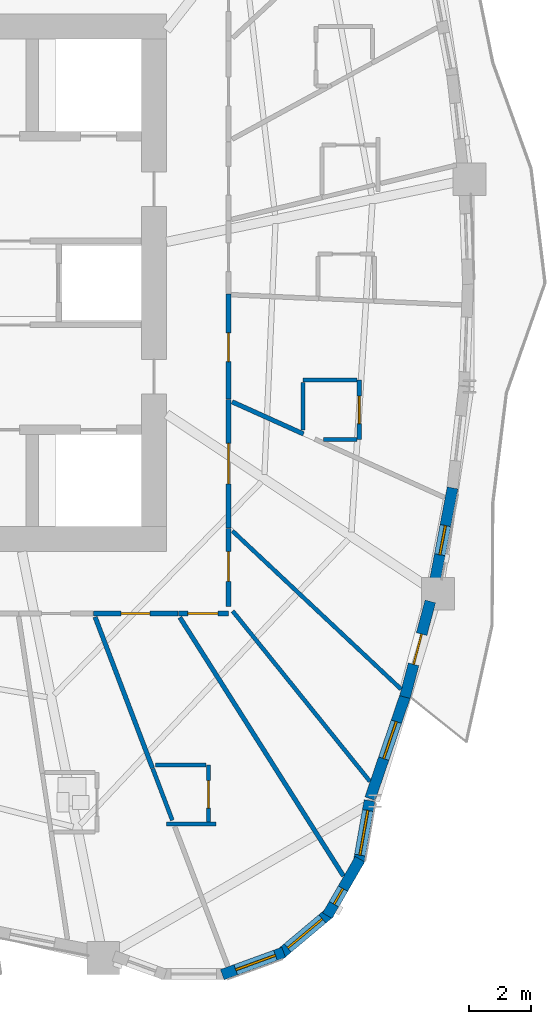
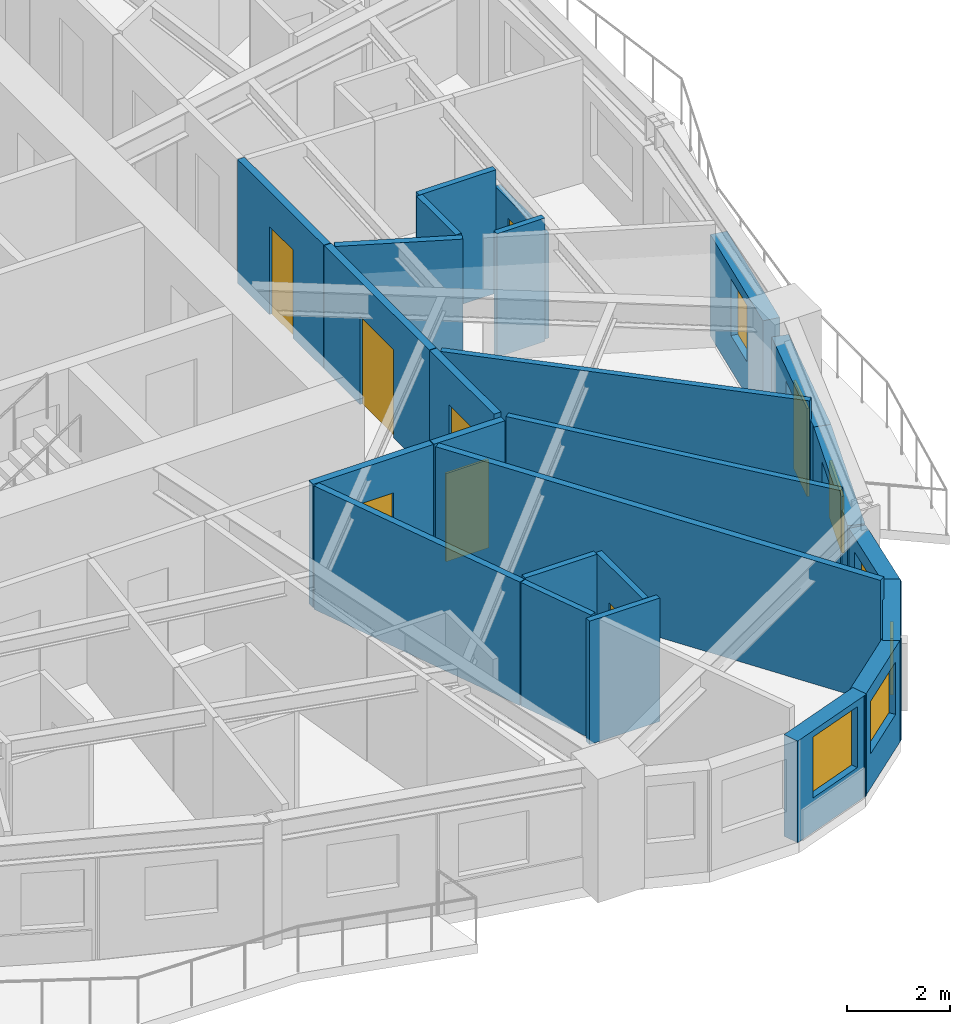
# One storey, part 6 of 14: 25 walls, 8 doors, 6 windows, 14 openings.
"""IFC4 building model written with IfcOpenShell, lengths in metres."""

from ifc_helpers import new_model, si_unit, direction, frame, frame_2d, origin, place, context, subcontext, project, spatial, rectangle, extrude, source, transform, mapped, material, layer, layer_set, type_object, element, fill, save


model = new_model("IFC4")

# Units and contexts
model_context = context("Model", 3, precision=1e-05, world=origin(), true_north=direction((0.0, 1.0)))
body_context = subcontext(model_context, "Body", "Model", "MODEL_VIEW")
ifc_project = project(units=[si_unit("LENGTHUNIT", "METRE"), si_unit("AREAUNIT", "SQUARE_METRE"), si_unit("VOLUMEUNIT", "CUBIC_METRE"), si_unit("PLANEANGLEUNIT", "RADIAN"), si_unit("MASSUNIT", "GRAM", prefix="KILO")], contexts=[model_context])

# Site, building, storey
site_placement = place(None, origin())
site = spatial("IfcSite", under=ifc_project, at=site_placement, CompositionType="ELEMENT")
building_placement = place(site_placement, origin())
building = spatial("IfcBuilding", under=site, at=building_placement, Name="Qafzar Sky-Pleat Residences", CompositionType="ELEMENT")
storey_placement = place(building_placement, frame((0.0, 0.0, 20.60009765625)))
storey = spatial("IfcBuildingStorey", under=building, at=storey_placement, Name="L05", CompositionType="ELEMENT", Elevation=20.60009765625)

# Wall, opening, door
ifc_material_1 = material(Name="Acoustic gypsum plasterboard partition", Category="gypsum")
ifc_layer_1 = layer(ifc_material_1, 0.159912109375)
ifc_layer_set_1 = layer_set([ifc_layer_1], Name="Acoustic gypsum plasterboard partition")
wall_type_1 = type_object("IfcWallType", Name="PART-COR-160", PredefinedType="PARTITIONING", material=ifc_layer_set_1)
wall_1_placement = place(storey_placement, frame((38.679931640625, 22.263916015625, 0.0), z_axis=(0.0, 0.0, 1.0), x_axis=(0.0, -1.0, 0.0)))
wall_1 = element("IfcWall", 1, at=wall_1_placement, inside=storey, type_object=wall_type_1, Name="L05 Partition Wall PART-L05-PW-004", PredefinedType="PARTITIONING", context=body_context, shape_type="SweptSolid", body=[
    extrude(rectangle(XDim=4.101806640625, YDim=0.159912109375, at=frame_2d((2.05078125, 0.0))), origin(), (0.0, 0.0, 1.0), 2.93994140625),
])
opening_1_placement = place(wall_1_placement, frame((1.3984375, 0.0, 0.0)))
opening_1 = element("IfcOpeningElement", 2, at=opening_1_placement, cuts=wall_1, Name="Opening ID-05", PredefinedType="OPENING", context=body_context, shape_type="SweptSolid", body=[
    extrude(rectangle(XDim=1.300048828125, YDim=2.10009765625, at=frame_2d((0.64990234375, 1.050048828125))), frame((0.0, 0.08984375, 0.0), z_axis=(0.0, -1.0, 0.0), x_axis=(1.0, 0.0, 0.0)), (0.0, 0.0, 1.0), 0.179931640625),
])
ifc_material_2 = material(Name="Timber-faced fire door", Category="wood")
door_type_1 = type_object("IfcDoorType", Name="DR-LNG-1300", OperationType="DOUBLE_DOOR_SINGLE_SWING", PredefinedType="DOOR", material=ifc_material_2)
shared_shape_1 = source(origin(), body_context, "Body", "SweptSolid", [
    extrude(rectangle(XDim=1.300048828125, YDim=2.10009765625, at=frame_2d((0.64990234375, 1.050048828125))), frame((0.0, 0.02490234375, 0.0), z_axis=(0.0, -1.0, 0.0), x_axis=(1.0, 0.0, 0.0)), (0.0, 0.0, 1.0), 0.050048828125),
])
door_1_placement = place(opening_1_placement, origin())
door_1 = element("IfcDoor", 3, at=door_1_placement, inside=storey, type_object=door_type_1, Name="L05 Communal Kitchen Door", OperationType="DOUBLE_DOOR_SINGLE_SWING", OverallHeight=2.10009765625, OverallWidth=1.300048828125, PredefinedType="DOOR", context=body_context, shape_type="MappedRepresentation", body=[
    mapped(shared_shape_1, transform((0.0, 0.0, 0.0), x_axis=(1.0, 0.0, 0.0), y_axis=(0.0, 1.0, 0.0), z_axis=(0.0, 0.0, 1.0), scale=1.0)),
])
fill(opening_1, door_1)

wall_2_placement = place(storey_placement, frame((38.679931640625, 25.64208984375, 0.0), z_axis=(0.0, 0.0, 1.0), x_axis=(0.0, -1.0, 0.0)))
wall_2 = element("IfcWall", 4, at=wall_2_placement, inside=storey, type_object=wall_type_1, Name="L05 Partition Wall PART-L05-PW-006", PredefinedType="PARTITIONING", context=body_context, shape_type="SweptSolid", body=[
    extrude(rectangle(XDim=3.363037109375, YDim=0.159912109375, at=frame_2d((1.681640625, 0.0))), origin(), (0.0, 0.0, 1.0), 2.93994140625),
])
opening_2_placement = place(wall_2_placement, frame((1.244384765625, 0.0, 0.0)))
opening_2 = element("IfcOpeningElement", 5, at=opening_2_placement, cuts=wall_2, Name="Opening ID-04", PredefinedType="OPENING", context=body_context, shape_type="SweptSolid", body=[
    extrude(rectangle(XDim=0.919921875, YDim=2.10009765625, at=frame_2d((0.4599609375, 1.050048828125))), frame((0.0, 0.08984375, 0.0), z_axis=(0.0, -1.0, 0.0), x_axis=(1.0, 0.0, 0.0)), (0.0, 0.0, 1.0), 0.179931640625),
])
door_type_2 = type_object("IfcDoorType", Name="DR-BED-920", OperationType="NOTDEFINED", PredefinedType="DOOR", material=ifc_material_2)
shared_shape_2 = source(origin(), body_context, "Body", "SweptSolid", [
    extrude(rectangle(XDim=0.919921875, YDim=2.10009765625, at=frame_2d((0.4599609375, 1.050048828125))), frame((0.0, 0.02490234375, 0.0), z_axis=(0.0, -1.0, 0.0), x_axis=(1.0, 0.0, 0.0)), (0.0, 0.0, 1.0), 0.050048828125),
])
door_2_placement = place(opening_2_placement, origin())
door_2 = element("IfcDoor", 6, at=door_2_placement, inside=storey, type_object=door_type_2, Name="L05 Co-Living Bedroom 10 Door", OperationType="SINGLE_SWING_LEFT", OverallHeight=2.10009765625, OverallWidth=0.919921875, PredefinedType="DOOR", context=body_context, shape_type="MappedRepresentation", body=[
    mapped(shared_shape_2, transform((0.0, 0.0, 0.0), x_axis=(1.0, 0.0, 0.0), y_axis=(0.0, 1.0, 0.0), z_axis=(0.0, 0.0, 1.0), scale=1.0)),
])
fill(opening_2, door_2)

wall_3_placement = place(storey_placement, frame((37.06298828125, 15.419921875, 0.0), z_axis=(0.0, 0.0, 1.0), x_axis=(-1.0, 0.0, 0.0)))
wall_3 = element("IfcWall", 7, at=wall_3_placement, inside=storey, type_object=wall_type_1, Name="L05 Partition Wall PART-L05-PW-010", PredefinedType="PARTITIONING", context=body_context, shape_type="SweptSolid", body=[
    extrude(rectangle(XDim=2.708984375, YDim=0.159912109375, at=frame_2d((1.3544921875, 0.0))), origin(), (0.0, 0.0, 1.0), 2.93994140625),
])
opening_3_placement = place(wall_3_placement, frame((0.8955078125, 0.0, 0.0)))
opening_3 = element("IfcOpeningElement", 8, at=opening_3_placement, cuts=wall_3, Name="Opening ID-04", PredefinedType="OPENING", context=body_context, shape_type="SweptSolid", body=[
    extrude(rectangle(XDim=0.919921875, YDim=2.10009765625, at=frame_2d((0.4599609375, 1.050048828125))), frame((0.0, 0.08984375, 0.0), z_axis=(0.0, -1.0, 0.0), x_axis=(1.0, 0.0, 0.0)), (0.0, 0.0, 1.0), 0.179931640625),
])
door_3_placement = place(opening_3_placement, origin())
door_3 = element("IfcDoor", 9, at=door_3_placement, inside=storey, type_object=door_type_2, Name="L05 Co-Living Bedroom 9 Door", OperationType="SINGLE_SWING_LEFT", OverallHeight=2.10009765625, OverallWidth=0.919921875, PredefinedType="DOOR", context=body_context, shape_type="MappedRepresentation", body=[
    mapped(shared_shape_2, transform((0.0, 0.0, 0.0), x_axis=(1.0, 0.0, 0.0), y_axis=(0.0, 1.0, 0.0), z_axis=(0.0, 0.0, 1.0), scale=1.0)),
])
fill(opening_3, door_3)

wall_4_placement = place(storey_placement, frame((38.679931640625, 18.14697265625, 0.0), z_axis=(0.0, 0.0, 1.0), x_axis=(0.0, -1.0, 0.0)))
wall_4 = element("IfcWall", 10, at=wall_4_placement, inside=storey, type_object=wall_type_1, Name="L05 Partition Wall PART-L05-PW-013", PredefinedType="PARTITIONING", context=body_context, shape_type="SweptSolid", body=[
    extrude(rectangle(XDim=2.5048828125, YDim=0.159912109375, at=frame_2d((1.25244140625, 0.0))), origin(), (0.0, 0.0, 1.0), 2.93994140625),
])
opening_4_placement = place(wall_4_placement, frame((0.74755859375, 0.0, 0.0)))
opening_4 = element("IfcOpeningElement", 11, at=opening_4_placement, cuts=wall_4, Name="Opening ID-08", PredefinedType="OPENING", context=body_context, shape_type="SweptSolid", body=[
    extrude(rectangle(XDim=0.949951171875, YDim=2.10009765625, at=frame_2d((0.47509765625, 1.050048828125))), frame((0.0, 0.08984375, 0.0), z_axis=(0.0, -1.0, 0.0), x_axis=(1.0, 0.0, 0.0)), (0.0, 0.0, 1.0), 0.179931640625),
])
door_type_3 = type_object("IfcDoorType", Name="DR-AWC-950", OperationType="NOTDEFINED", PredefinedType="DOOR", material=ifc_material_2)
shared_shape_3 = source(origin(), body_context, "Body", "SweptSolid", [
    extrude(rectangle(XDim=0.949951171875, YDim=2.10009765625, at=frame_2d((0.47509765625, 1.050048828125))), frame((0.0, 0.02490234375, 0.0), z_axis=(0.0, -1.0, 0.0), x_axis=(1.0, 0.0, 0.0)), (0.0, 0.0, 1.0), 0.050048828125),
])
door_4_placement = place(opening_4_placement, origin())
door_4 = element("IfcDoor", 12, at=door_4_placement, inside=storey, type_object=door_type_3, Name="L05 Accessible Shared Washroom Door", OperationType="SINGLE_SWING_RIGHT", OverallHeight=2.10009765625, OverallWidth=0.949951171875, PredefinedType="DOOR", context=body_context, shape_type="MappedRepresentation", body=[
    mapped(shared_shape_3, transform((0.0, 0.0, 0.0), x_axis=(1.0, 0.0, 0.0), y_axis=(0.0, 1.0, 0.0), z_axis=(0.0, 0.0, 1.0), scale=1.0)),
])
fill(opening_4, door_4)

wall_5_placement = place(storey_placement, frame((38.679931640625, 15.419921875, 0.0), z_axis=(0.0, 0.0, 1.0), x_axis=(-1.0, 0.0, 0.0)))
wall_5 = element("IfcWall", 13, at=wall_5_placement, inside=storey, type_object=wall_type_1, Name="L05 Partition Wall PART-L05-PW-031", PredefinedType="PARTITIONING", context=body_context, shape_type="SweptSolid", body=[
    extrude(rectangle(XDim=1.60205078125, YDim=0.159912109375, at=frame_2d((0.801025390625, 0.0))), origin(), (0.0, 0.0, 1.0), 2.93994140625),
])
opening_5_placement = place(wall_5_placement, frame((0.33740234375, 0.0, 0.0)))
opening_5 = element("IfcOpeningElement", 14, at=opening_5_placement, cuts=wall_5, Name="Opening ID-06", PredefinedType="OPENING", context=body_context, shape_type="SweptSolid", body=[
    extrude(rectangle(XDim=0.9599609375, YDim=2.10009765625, at=frame_2d((0.47998046875, 1.050048828125))), frame((0.0, 0.08984375, 0.0), z_axis=(0.0, -1.0, 0.0), x_axis=(1.0, 0.0, 0.0)), (0.0, 0.0, 1.0), 0.179931640625),
])
door_type_4 = type_object("IfcDoorType", Name="DR-STD-960", OperationType="NOTDEFINED", PredefinedType="DOOR", material=ifc_material_2)
shared_shape_4 = source(origin(), body_context, "Body", "SweptSolid", [
    extrude(rectangle(XDim=0.9599609375, YDim=2.10009765625, at=frame_2d((0.47998046875, 1.050048828125))), frame((0.0, 0.02490234375, 0.0), z_axis=(0.0, -1.0, 0.0), x_axis=(1.0, 0.0, 0.0)), (0.0, 0.0, 1.0), 0.050048828125),
])
door_5_placement = place(opening_5_placement, origin())
door_5 = element("IfcDoor", 15, at=door_5_placement, inside=storey, type_object=door_type_4, Name="L05 Scholar Study Room Door", OperationType="SINGLE_SWING_RIGHT", OverallHeight=2.10009765625, OverallWidth=0.9599609375, PredefinedType="DOOR", context=body_context, shape_type="MappedRepresentation", body=[
    mapped(shared_shape_4, transform((0.0, 0.0, 0.0), x_axis=(1.0, 0.0, 0.0), y_axis=(0.0, 1.0, 0.0), z_axis=(0.0, 0.0, 1.0), scale=1.0)),
])
fill(opening_5, door_5)

# Walls
ifc_layer_2 = layer(ifc_material_1, 0.14501953125)
ifc_layer_set_2 = layer_set([ifc_layer_2], Name="Acoustic gypsum plasterboard partition")
wall_type_2 = type_object("IfcWallType", Name="PART-UNIT-145", PredefinedType="PARTITIONING", material=ifc_layer_set_2)
wall_6_placement = place(storey_placement, frame((37.12451171875, 15.29443359375, 0.0), z_axis=(0.0, 0.0, 1.0), x_axis=(0.534743765269, -0.845014263492, 0.0)))
element("IfcWall", 16, at=wall_6_placement, inside=storey, type_object=wall_type_2, Name="L05 Partition Wall PART-L05-PW-040", PredefinedType="PARTITIONING", context=body_context, shape_type="SweptSolid", body=[
    extrude(rectangle(XDim=9.79736328125, YDim=0.14501953125, at=frame_2d((4.898681640625, 0.0))), origin(), (0.0, 0.0, 1.0), 2.93994140625),
])
wall_7_placement = place(storey_placement, frame((34.4130859375, 15.306884765625, 0.0), z_axis=(0.0, 0.0, 1.0), x_axis=(0.355171610573, -0.934801116304, 0.0)))
element("IfcWall", 17, at=wall_7_placement, inside=storey, type_object=wall_type_2, Name="L05 Partition Wall PART-L05-PW-048", PredefinedType="PARTITIONING", context=body_context, shape_type="SweptSolid", body=[
    extrude(rectangle(XDim=5.177490234375, YDim=0.14501953125, at=frame_2d((2.5888671875, 0.0))), origin(), (0.0, 0.0, 1.0), 2.93994140625),
])
wall_8_placement = place(storey_placement, frame((38.797119140625, 22.1953125, 0.0), z_axis=(0.0, 0.0, 1.0), x_axis=(0.911759201305, -0.410725162165, 0.0)))
element("IfcWall", 18, at=wall_8_placement, inside=storey, type_object=wall_type_2, Name="L05 Partition Wall PART-L05-PW-063", PredefinedType="PARTITIONING", context=body_context, shape_type="SweptSolid", body=[
    extrude(rectangle(XDim=2.506103515625, YDim=0.14501953125, at=frame_2d((1.2529296875, 0.0))), origin(), (0.0, 0.0, 1.0), 2.93994140625),
])

# Wall, opening, door
ifc_material_3 = material(Name="Moisture-resistant gypsum partition", Category="gypsum")
ifc_layer_3 = layer(ifc_material_3, 0.1298828125)
ifc_layer_set_3 = layer_set([ifc_layer_3], Name="Moisture-resistant gypsum partition")
wall_type_3 = type_object("IfcWallType", Name="PART-WET-130", PredefinedType="PARTITIONING", material=ifc_layer_set_3)
wall_9_placement = place(storey_placement, frame((38.037109375, 8.75, 0.0), z_axis=(0.0, 0.0, 1.0), x_axis=(0.0, 1.0, 0.0)))
wall_9 = element("IfcWall", 19, at=wall_9_placement, inside=storey, type_object=wall_type_3, Name="L05 Partition Wall PART-L05-PW-020", PredefinedType="PARTITIONING", context=body_context, shape_type="SweptSolid", body=[
    extrude(rectangle(XDim=1.826904296875, YDim=0.1298828125, at=frame_2d((0.91357421875, 0.0))), origin(), (0.0, 0.0, 1.0), 2.93994140625),
])
opening_6_placement = place(wall_9_placement, frame((0.43701171875, 0.0, 0.0)))
opening_6 = element("IfcOpeningElement", 20, at=opening_6_placement, cuts=wall_9, Name="Opening ID-07", PredefinedType="OPENING", context=body_context, shape_type="SweptSolid", body=[
    extrude(rectangle(XDim=0.8798828125, YDim=2.050048828125, at=frame_2d((0.43994140625, 1.02490234375))), frame((0.0, 0.074951171875, 0.0), z_axis=(0.0, -1.0, 0.0), x_axis=(1.0, 0.0, 0.0)), (0.0, 0.0, 1.0), 0.14990234375),
])
door_type_5 = type_object("IfcDoorType", Name="DR-WET-880", OperationType="NOTDEFINED", PredefinedType="DOOR", material=ifc_material_2)
shared_shape_5 = source(origin(), body_context, "Body", "SweptSolid", [
    extrude(rectangle(XDim=0.8798828125, YDim=2.050048828125, at=frame_2d((0.43994140625, 1.02490234375))), frame((0.0, 0.02490234375, 0.0), z_axis=(0.0, -1.0, 0.0), x_axis=(1.0, 0.0, 0.0)), (0.0, 0.0, 1.0), 0.050048828125),
])
door_6_placement = place(opening_6_placement, origin())
door_6 = element("IfcDoor", 21, at=door_6_placement, inside=storey, type_object=door_type_5, Name="L05 En-suite Bathroom 9 Door", OperationType="SINGLE_SWING_LEFT", OverallHeight=2.050048828125, OverallWidth=0.8798828125, PredefinedType="DOOR", context=body_context, shape_type="MappedRepresentation", body=[
    mapped(shared_shape_5, transform((0.0, 0.0, 0.0), x_axis=(1.0, 0.0, 0.0), y_axis=(0.0, 1.0, 0.0), z_axis=(0.0, 0.0, 1.0), scale=1.0)),
])
fill(opening_6, door_6)

wall_10_placement = place(storey_placement, frame((42.866943359375, 20.986083984375, 0.0), z_axis=(0.0, 0.0, 1.0), x_axis=(0.0, 1.0, 0.0)))
wall_10 = element("IfcWall", 22, at=wall_10_placement, inside=storey, type_object=wall_type_3, Name="L05 Partition Wall PART-L05-PW-023", PredefinedType="PARTITIONING", context=body_context, shape_type="SweptSolid", body=[
    extrude(rectangle(XDim=1.89990234375, YDim=0.1298828125, at=frame_2d((0.949951171875, 0.0))), origin(), (0.0, 0.0, 1.0), 2.5078125),
])
opening_7_placement = place(wall_10_placement, frame((0.510009765625, 0.0, 0.0)))
opening_7 = element("IfcOpeningElement", 23, at=opening_7_placement, cuts=wall_10, Name="Opening ID-07", PredefinedType="OPENING", context=body_context, shape_type="SweptSolid", body=[
    extrude(rectangle(XDim=0.8798828125, YDim=2.050048828125, at=frame_2d((0.43994140625, 1.02490234375))), frame((0.0, 0.074951171875, 0.0), z_axis=(0.0, -1.0, 0.0), x_axis=(1.0, 0.0, 0.0)), (0.0, 0.0, 1.0), 0.14990234375),
])
door_7_placement = place(opening_7_placement, origin())
door_7 = element("IfcDoor", 24, at=door_7_placement, inside=storey, type_object=door_type_5, Name="L05 En-suite Bathroom 10 Door", OperationType="SINGLE_SWING_RIGHT", OverallHeight=2.050048828125, OverallWidth=0.8798828125, PredefinedType="DOOR", context=body_context, shape_type="MappedRepresentation", body=[
    mapped(shared_shape_5, transform((0.0, 0.0, 0.0), x_axis=(1.0, 0.0, 0.0), y_axis=(0.0, 1.0, 0.0), z_axis=(0.0, 0.0, 1.0), scale=1.0)),
])
fill(opening_7, door_7)

# Walls
wall_11_placement = place(storey_placement, frame((38.810302734375, 18.060791015625, 0.0), z_axis=(0.0, 0.0, 1.0), x_axis=(0.729196389153, -0.684304483433, 0.0)))
element("IfcWall", 25, at=wall_11_placement, inside=storey, type_object=wall_type_3, Name="L05 Partition Wall PART-L05-PW-045", PredefinedType="PARTITIONING", context=body_context, shape_type="SweptSolid", body=[
    extrude(rectangle(XDim=7.396240234375, YDim=0.1298828125, at=frame_2d((3.6982421875, 0.0))), origin(), (0.0, 0.0, 1.0), 2.93994140625),
])
wall_12_placement = place(storey_placement, frame((38.815673828125, 15.497802734375, 0.0), z_axis=(0.0, 0.0, 1.0), x_axis=(0.627528755525, -0.778593386171, 0.0)))
element("IfcWall", 26, at=wall_12_placement, inside=storey, type_object=wall_type_3, Name="L05 Partition Wall PART-L05-PW-046", PredefinedType="PARTITIONING", context=body_context, shape_type="SweptSolid", body=[
    extrude(rectangle(XDim=6.997802734375, YDim=0.1298828125, at=frame_2d((3.4990234375, 0.0))), origin(), (0.0, 0.0, 1.0), 2.93994140625),
])
wall_13_placement = place(storey_placement, frame((36.25732421875, 10.452880859375, 0.0), z_axis=(0.0, 0.0, 1.0), x_axis=(0.355345777079, -0.934734924303, 0.0)))
element("IfcWall", 27, at=wall_13_placement, inside=storey, type_object=wall_type_3, Name="L05 Partition Wall PART-L05-PW-068", PredefinedType="PARTITIONING", context=body_context, shape_type="SweptSolid", body=[
    extrude(rectangle(XDim=1.766357421875, YDim=0.1298828125, at=frame_2d((0.88330078125, 0.0))), origin(), (0.0, 0.0, 1.0), 2.93994140625),
])
wall_14_placement = place(storey_placement, frame((36.347412109375, 10.576904296875, 0.0), z_axis=(0.0, 0.0, 1.0), x_axis=(1.0, 0.0, 0.0)))
element("IfcWall", 28, at=wall_14_placement, inside=storey, type_object=wall_type_3, Name="L05 Partition Wall PART-L05-PW-076", PredefinedType="PARTITIONING", context=body_context, shape_type="SweptSolid", body=[
    extrude(rectangle(XDim=1.61669921875, YDim=0.1298828125, at=frame_2d((0.808349609375, 0.0))), origin(), (0.0, 0.0, 1.0), 2.93994140625),
])
wall_15_placement = place(storey_placement, frame((41.06689453125, 22.885986328125, 0.0), z_axis=(0.0, 0.0, 1.0), x_axis=(1.0, 0.0, 0.0)))
element("IfcWall", 29, at=wall_15_placement, inside=storey, type_object=wall_type_3, Name="L05 Partition Wall PART-L05-PW-077", PredefinedType="PARTITIONING", context=body_context, shape_type="SweptSolid", body=[
    extrude(rectangle(XDim=1.72705078125, YDim=0.1298828125, at=frame_2d((0.863525390625, 0.0))), origin(), (0.0, 0.0, 1.0), 2.93994140625),
])
wall_16_placement = place(storey_placement, frame((41.06689453125, 21.288818359375, 0.0), z_axis=(0.0, 0.0, 1.0), x_axis=(0.0, 1.0, 0.0)))
element("IfcWall", 30, at=wall_16_placement, inside=storey, type_object=wall_type_3, Name="L05 Partition Wall PART-L05-PW-082", PredefinedType="PARTITIONING", context=body_context, shape_type="SweptSolid", body=[
    extrude(rectangle(XDim=1.524169921875, YDim=0.1298828125, at=frame_2d((0.76220703125, 0.0))), origin(), (0.0, 0.0, 1.0), 2.93994140625),
])
wall_17_placement = place(storey_placement, frame((41.720947265625, 20.986083984375, 0.0), z_axis=(0.0, 0.0, 1.0), x_axis=(1.0, 0.0, 0.0)))
element("IfcWall", 31, at=wall_17_placement, inside=storey, type_object=wall_type_3, Name="L05 Partition Wall PART-L05-PW-091", PredefinedType="PARTITIONING", context=body_context, shape_type="SweptSolid", body=[
    extrude(rectangle(XDim=1.072998046875, YDim=0.1298828125, at=frame_2d((0.53662109375, 0.0))), origin(), (0.0, 0.0, 1.0), 2.93994140625),
])
wall_18_placement = place(storey_placement, frame((36.69189453125, 8.677001953125, 0.0), z_axis=(0.0, 0.0, 1.0), x_axis=(1.0, 0.0, 0.0)))
element("IfcWall", 32, at=wall_18_placement, inside=storey, type_object=wall_type_3, Name="L05 Partition Wall PART-L05-PW-096", PredefinedType="PARTITIONING", context=body_context, shape_type="SweptSolid", body=[
    extrude(rectangle(XDim=1.585205078125, YDim=0.1298828125, at=frame_2d((0.79248046875, 0.0))), origin(), (0.0, 0.0, 1.0), 2.93994140625),
])

# Wall, opening, window
ifc_material_4 = material(Name="Precast concrete C40/50 with honed Riyadh limestone", Category="concrete")
ifc_layer_4 = layer(ifc_material_4, 0.35009765625)
ifc_layer_set_4 = layer_set([ifc_layer_4], Name="Precast concrete C40/50 with honed Riyadh limestone")
wall_type_4 = type_object("IfcWallType", Name="WALL-EXT-350", PredefinedType="SOLIDWALL", material=ifc_layer_set_4)
wall_19_placement = place(storey_placement, frame((38.484130859375, 3.859619140625, 0.0), z_axis=(0.0, 0.0, 1.0), x_axis=(0.939711556618, 0.341968113072, 0.0)))
wall_19 = element("IfcWall", 33, at=wall_19_placement, inside=storey, type_object=wall_type_4, Name="L05 Limestone Facade Wall 19", PredefinedType="SOLIDWALL", context=body_context, shape_type="SweptSolid", body=[
    extrude(rectangle(XDim=2.09033203125, YDim=0.35009765625, at=frame_2d((1.045166015625, 0.0))), origin(), (0.0, 0.0, 1.0), 2.419921875),
])
opening_8_placement = place(wall_19_placement, frame((0.459228515625, 0.0, 0.820068359375)))
opening_8 = element("IfcOpeningElement", 34, at=opening_8_placement, cuts=wall_19, Name="Opening WN-04", PredefinedType="OPENING", context=body_context, shape_type="SweptSolid", body=[
    extrude(rectangle(XDim=1.35009765625, YDim=1.449951171875, at=frame_2d((0.675048828125, 0.72509765625))), frame((0.0, 0.18505859375, 0.0), z_axis=(0.0, -1.0, 0.0), x_axis=(1.0, 0.0, 0.0)), (0.0, 0.0, 1.0), 0.3701171875),
])
ifc_material_5 = material(Name="Solar-control low-E glass in bronze aluminium frame", Category="glass")
window_type_1 = type_object("IfcWindowType", Name="WIN-04", PartitioningType="SINGLE_PANEL", PredefinedType="WINDOW", material=ifc_material_5)
shared_shape_6 = source(origin(), body_context, "Body", "SweptSolid", [
    extrude(rectangle(XDim=1.35009765625, YDim=1.449951171875, at=frame_2d((0.675048828125, 0.72509765625))), frame((0.0, 0.030029296875, 0.0), z_axis=(0.0, -1.0, 0.0), x_axis=(1.0, 0.0, 0.0)), (0.0, 0.0, 1.0), 0.06005859375),
])
window_1_placement = place(opening_8_placement, origin())
window_1 = element("IfcWindow", 35, at=window_1_placement, inside=storey, type_object=window_type_1, Name="L05 Punched Facade Window 19", OverallHeight=1.449951171875, OverallWidth=1.35009765625, PartitioningType="SINGLE_PANEL", PredefinedType="WINDOW", context=body_context, shape_type="MappedRepresentation", body=[
    mapped(shared_shape_6, transform((0.0, 0.0, 0.0), x_axis=(1.0, 0.0, 0.0), y_axis=(0.0, 1.0, 0.0), z_axis=(0.0, 0.0, 1.0), scale=1.0)),
])
fill(opening_8, window_1)

wall_20_placement = place(storey_placement, frame((40.330810546875, 4.506591796875, 0.0), z_axis=(0.0, 0.0, 1.0), x_axis=(0.766024572719, 0.642811289563, 0.0)))
wall_20 = element("IfcWall", 36, at=wall_20_placement, inside=storey, type_object=wall_type_4, Name="L05 Limestone Facade Wall 20", PredefinedType="SOLIDWALL", context=body_context, shape_type="SweptSolid", body=[
    extrude(rectangle(XDim=2.09033203125, YDim=0.35009765625, at=frame_2d((1.045166015625, 0.0))), origin(), (0.0, 0.0, 1.0), 2.419921875),
])
opening_9_placement = place(wall_20_placement, frame((0.3203125, 0.0, 0.820068359375)))
opening_9 = element("IfcOpeningElement", 37, at=opening_9_placement, cuts=wall_20, Name="Opening WN-15", PredefinedType="OPENING", context=body_context, shape_type="SweptSolid", body=[
    extrude(rectangle(XDim=1.449951171875, YDim=1.25, at=frame_2d((0.72509765625, 0.625))), frame((0.0, 0.18505859375, 0.0), z_axis=(0.0, -1.0, 0.0), x_axis=(1.0, 0.0, 0.0)), (0.0, 0.0, 1.0), 0.3701171875),
])
window_type_2 = type_object("IfcWindowType", Name="WIN-15", PartitioningType="SINGLE_PANEL", PredefinedType="WINDOW", material=ifc_material_5)
shared_shape_7 = source(origin(), body_context, "Body", "SweptSolid", [
    extrude(rectangle(XDim=1.449951171875, YDim=1.25, at=frame_2d((0.72509765625, 0.625))), frame((0.0, 0.030029296875, 0.0), z_axis=(0.0, -1.0, 0.0), x_axis=(1.0, 0.0, 0.0)), (0.0, 0.0, 1.0), 0.06005859375),
])
window_2_placement = place(opening_9_placement, origin())
window_2 = element("IfcWindow", 38, at=window_2_placement, inside=storey, type_object=window_type_2, Name="L05 Punched Facade Window 20", OverallHeight=1.25, OverallWidth=1.449951171875, PartitioningType="SINGLE_PANEL", PredefinedType="WINDOW", context=body_context, shape_type="MappedRepresentation", body=[
    mapped(shared_shape_7, transform((0.0, 0.0, 0.0), x_axis=(1.0, 0.0, 0.0), y_axis=(0.0, 1.0, 0.0), z_axis=(0.0, 0.0, 1.0), scale=1.0)),
])
fill(opening_9, window_2)

wall_21_placement = place(storey_placement, frame((41.844970703125, 5.746337890625, 0.0), z_axis=(0.0, 0.0, 1.0), x_axis=(0.499995423472, 0.866028046028, 0.0)))
wall_21 = element("IfcWall", 39, at=wall_21_placement, inside=storey, type_object=wall_type_4, Name="L05 Limestone Facade Wall 21", PredefinedType="SOLIDWALL", context=body_context, shape_type="SweptSolid", body=[
    extrude(rectangle(XDim=2.09033203125, YDim=0.35009765625, at=frame_2d((1.045166015625, 0.0))), origin(), (0.0, 0.0, 1.0), 2.419921875),
])
opening_10_placement = place(wall_21_placement, frame((0.423828125, 0.0, 0.820068359375)))
opening_10 = element("IfcOpeningElement", 40, at=opening_10_placement, cuts=wall_21, Name="Opening WN-17", PredefinedType="OPENING", context=body_context, shape_type="SweptSolid", body=[
    extrude(rectangle(XDim=0.580078125, YDim=1.35009765625, at=frame_2d((0.2900390625, 0.675048828125))), frame((0.0, 0.18505859375, 0.0), z_axis=(0.0, -1.0, 0.0), x_axis=(1.0, 0.0, 0.0)), (0.0, 0.0, 1.0), 0.3701171875),
])
window_type_3 = type_object("IfcWindowType", Name="WIN-17", PartitioningType="SINGLE_PANEL", PredefinedType="WINDOW", material=ifc_material_5)
shared_shape_8 = source(origin(), body_context, "Body", "SweptSolid", [
    extrude(rectangle(XDim=0.580078125, YDim=1.35009765625, at=frame_2d((0.2900390625, 0.675048828125))), frame((0.0, 0.030029296875, 0.0), z_axis=(0.0, -1.0, 0.0), x_axis=(1.0, 0.0, 0.0)), (0.0, 0.0, 1.0), 0.06005859375),
])
window_3_placement = place(opening_10_placement, origin())
window_3 = element("IfcWindow", 41, at=window_3_placement, inside=storey, type_object=window_type_3, Name="L05 Punched Facade Window 21", OverallHeight=1.35009765625, OverallWidth=0.580078125, PartitioningType="SINGLE_PANEL", PredefinedType="WINDOW", context=body_context, shape_type="MappedRepresentation", body=[
    mapped(shared_shape_8, transform((0.0, 0.0, 0.0), x_axis=(1.0, 0.0, 0.0), y_axis=(0.0, 1.0, 0.0), z_axis=(0.0, 0.0, 1.0), scale=1.0)),
])
fill(opening_10, window_3)

wall_22_placement = place(storey_placement, frame((42.84375, 7.42919921875, 0.0), z_axis=(0.0, 0.0, 1.0), x_axis=(0.17370309897, 0.984798067326, 0.0)))
wall_22 = element("IfcWall", 42, at=wall_22_placement, inside=storey, type_object=wall_type_4, Name="L05 Limestone Facade Wall 22", PredefinedType="SOLIDWALL", context=body_context, shape_type="SweptSolid", body=[
    extrude(rectangle(XDim=2.032470703125, YDim=0.35009765625, at=frame_2d((1.01611328125, 0.0))), origin(), (0.0, 0.0, 1.0), 2.419921875),
])
opening_11_placement = place(wall_22_placement, frame((0.26123046875, 0.0, 0.820068359375)))
opening_11 = element("IfcOpeningElement", 43, at=opening_11_placement, cuts=wall_22, Name="Opening WN-15", PredefinedType="OPENING", context=body_context, shape_type="SweptSolid", body=[
    extrude(rectangle(XDim=1.449951171875, YDim=1.25, at=frame_2d((0.72509765625, 0.625))), frame((0.0, 0.18505859375, 0.0), z_axis=(0.0, -1.0, 0.0), x_axis=(1.0, 0.0, 0.0)), (0.0, 0.0, 1.0), 0.3701171875),
])
window_4_placement = place(opening_11_placement, origin())
window_4 = element("IfcWindow", 44, at=window_4_placement, inside=storey, type_object=window_type_2, Name="L05 Punched Facade Window 22", OverallHeight=1.25, OverallWidth=1.449951171875, PartitioningType="SINGLE_PANEL", PredefinedType="WINDOW", context=body_context, shape_type="MappedRepresentation", body=[
    mapped(shared_shape_7, transform((0.0, 0.0, 0.0), x_axis=(1.0, 0.0, 0.0), y_axis=(0.0, 1.0, 0.0), z_axis=(0.0, 0.0, 1.0), scale=1.0)),
])
fill(opening_11, window_4)

wall_23_placement = place(storey_placement, frame((43.21337890625, 9.49560546875, 0.0), z_axis=(0.0, 0.0, 1.0), x_axis=(0.323599506414, 0.946194144692, 0.0)))
wall_23 = element("IfcWall", 45, at=wall_23_placement, inside=storey, type_object=wall_type_4, Name="L05 Limestone Facade Wall 23", PredefinedType="SOLIDWALL", context=body_context, shape_type="SweptSolid", body=[
    extrude(rectangle(XDim=3.5224609375, YDim=0.35009765625, at=frame_2d((1.76123046875, 0.0))), origin(), (0.0, 0.0, 1.0), 2.419921875),
])
opening_12_placement = place(wall_23_placement, frame((1.35107421875, 0.0, 0.820068359375)))
opening_12 = element("IfcOpeningElement", 46, at=opening_12_placement, cuts=wall_23, Name="Opening WN-11", PredefinedType="OPENING", context=body_context, shape_type="SweptSolid", body=[
    extrude(rectangle(XDim=1.25, YDim=1.35009765625, at=frame_2d((0.625, 0.675048828125))), frame((0.0, 0.18505859375, 0.0), z_axis=(0.0, -1.0, 0.0), x_axis=(1.0, 0.0, 0.0)), (0.0, 0.0, 1.0), 0.3701171875),
])
window_type_4 = type_object("IfcWindowType", Name="WIN-11", PartitioningType="SINGLE_PANEL", PredefinedType="WINDOW", material=ifc_material_5)
shared_shape_9 = source(origin(), body_context, "Body", "SweptSolid", [
    extrude(rectangle(XDim=1.25, YDim=1.35009765625, at=frame_2d((0.625, 0.675048828125))), frame((0.0, 0.030029296875, 0.0), z_axis=(0.0, -1.0, 0.0), x_axis=(1.0, 0.0, 0.0)), (0.0, 0.0, 1.0), 0.06005859375),
])
window_5_placement = place(opening_12_placement, origin())
window_5 = element("IfcWindow", 47, at=window_5_placement, inside=storey, type_object=window_type_4, Name="L05 Punched Facade Window 23-2", OverallHeight=1.35009765625, OverallWidth=1.25, PartitioningType="SINGLE_PANEL", PredefinedType="WINDOW", context=body_context, shape_type="MappedRepresentation", body=[
    mapped(shared_shape_9, transform((0.0, 0.0, 0.0), x_axis=(1.0, 0.0, 0.0), y_axis=(0.0, 1.0, 0.0), z_axis=(0.0, 0.0, 1.0), scale=1.0)),
])
fill(opening_12, window_5)

# Wall, opening, door
wall_24_placement = place(storey_placement, frame((44.32763671875, 12.744384765625, 0.0), z_axis=(0.0, 0.0, 1.0), x_axis=(0.257063268192, 0.966394575806, 0.0)))
wall_24 = element("IfcWall", 48, at=wall_24_placement, inside=storey, type_object=wall_type_4, Name="L05 Limestone Facade Wall 24", PredefinedType="SOLIDWALL", context=body_context, shape_type="SweptSolid", body=[
    extrude(rectangle(XDim=3.169189453125, YDim=0.35009765625, at=frame_2d((1.58447265625, 0.0))), origin(), (0.0, 0.0, 1.0), 2.419921875),
])
opening_13_placement = place(wall_24_placement, frame((1.084716796875, 0.0, 0.0)))
opening_13 = element("IfcOpeningElement", 49, at=opening_13_placement, cuts=wall_24, Name="Opening ED-05", PredefinedType="OPENING", context=body_context, shape_type="SweptSolid", body=[
    extrude(rectangle(XDim=1.0, YDim=2.10009765625, at=frame_2d((0.5, 1.050048828125))), frame((0.0, 0.18505859375, 0.0), z_axis=(0.0, -1.0, 0.0), x_axis=(1.0, 0.0, 0.0)), (0.0, 0.0, 1.0), 0.3701171875),
])
ifc_material_6 = material(Name="Glazed bronze aluminium door", Category="aluminium")
door_type_6 = type_object("IfcDoorType", Name="DR-BAL-1000", OperationType="NOTDEFINED", PredefinedType="DOOR", material=ifc_material_6)
shared_shape_10 = source(origin(), body_context, "Body", "SweptSolid", [
    extrude(rectangle(XDim=1.0, YDim=2.10009765625, at=frame_2d((0.5, 1.050048828125))), frame((0.0, 0.02490234375, 0.0), z_axis=(0.0, -1.0, 0.0), x_axis=(1.0, 0.0, 0.0)), (0.0, 0.0, 1.0), 0.050048828125),
])
door_8_placement = place(opening_13_placement, origin())
door_8 = element("IfcDoor", 50, at=door_8_placement, inside=storey, type_object=door_type_6, Name="L05 Glazed Balcony Door 1", OperationType="SINGLE_SWING_LEFT", OverallHeight=2.10009765625, OverallWidth=1.0, PredefinedType="DOOR", context=body_context, shape_type="MappedRepresentation", body=[
    mapped(shared_shape_10, transform((0.0, 0.0, 0.0), x_axis=(1.0, 0.0, 0.0), y_axis=(0.0, 1.0, 0.0), z_axis=(0.0, 0.0, 1.0), scale=1.0)),
])
fill(opening_13, door_8)

# Wall, opening, window
wall_25_placement = place(storey_placement, frame((45.272705078125, 16.37939453125, 0.0), z_axis=(0.0, 0.0, 1.0), x_axis=(0.186712111557, 0.982414671815, 0.0)))
wall_25 = element("IfcWall", 51, at=wall_25_placement, inside=storey, type_object=wall_type_4, Name="L05 Limestone Facade Wall 25", PredefinedType="SOLIDWALL", context=body_context, shape_type="SweptSolid", body=[
    extrude(rectangle(XDim=3.11328125, YDim=0.35009765625, at=frame_2d((1.556640625, 0.0))), origin(), (0.0, 0.0, 1.0), 2.419921875),
])
opening_14_placement = place(wall_25_placement, frame((0.938720703125, 0.0, 0.820068359375)))
opening_14 = element("IfcOpeningElement", 52, at=opening_14_placement, cuts=wall_25, Name="Opening WN-12", PredefinedType="OPENING", context=body_context, shape_type="SweptSolid", body=[
    extrude(rectangle(XDim=0.949951171875, YDim=1.35009765625, at=frame_2d((0.47509765625, 0.675048828125))), frame((0.0, 0.18505859375, 0.0), z_axis=(0.0, -1.0, 0.0), x_axis=(1.0, 0.0, 0.0)), (0.0, 0.0, 1.0), 0.3701171875),
])
window_type_5 = type_object("IfcWindowType", Name="WIN-12", PartitioningType="SINGLE_PANEL", PredefinedType="WINDOW", material=ifc_material_5)
shared_shape_11 = source(origin(), body_context, "Body", "SweptSolid", [
    extrude(rectangle(XDim=0.949951171875, YDim=1.35009765625, at=frame_2d((0.47509765625, 0.675048828125))), frame((0.0, 0.030029296875, 0.0), z_axis=(0.0, -1.0, 0.0), x_axis=(1.0, 0.0, 0.0)), (0.0, 0.0, 1.0), 0.06005859375),
])
window_6_placement = place(opening_14_placement, origin())
window_6 = element("IfcWindow", 53, at=window_6_placement, inside=storey, type_object=window_type_5, Name="L05 Punched Facade Window 25", OverallHeight=1.35009765625, OverallWidth=0.949951171875, PartitioningType="SINGLE_PANEL", PredefinedType="WINDOW", context=body_context, shape_type="MappedRepresentation", body=[
    mapped(shared_shape_11, transform((0.0, 0.0, 0.0), x_axis=(1.0, 0.0, 0.0), y_axis=(0.0, 1.0, 0.0), z_axis=(0.0, 0.0, 1.0), scale=1.0)),
])
fill(opening_14, window_6)

save(model, "model.ifc")
